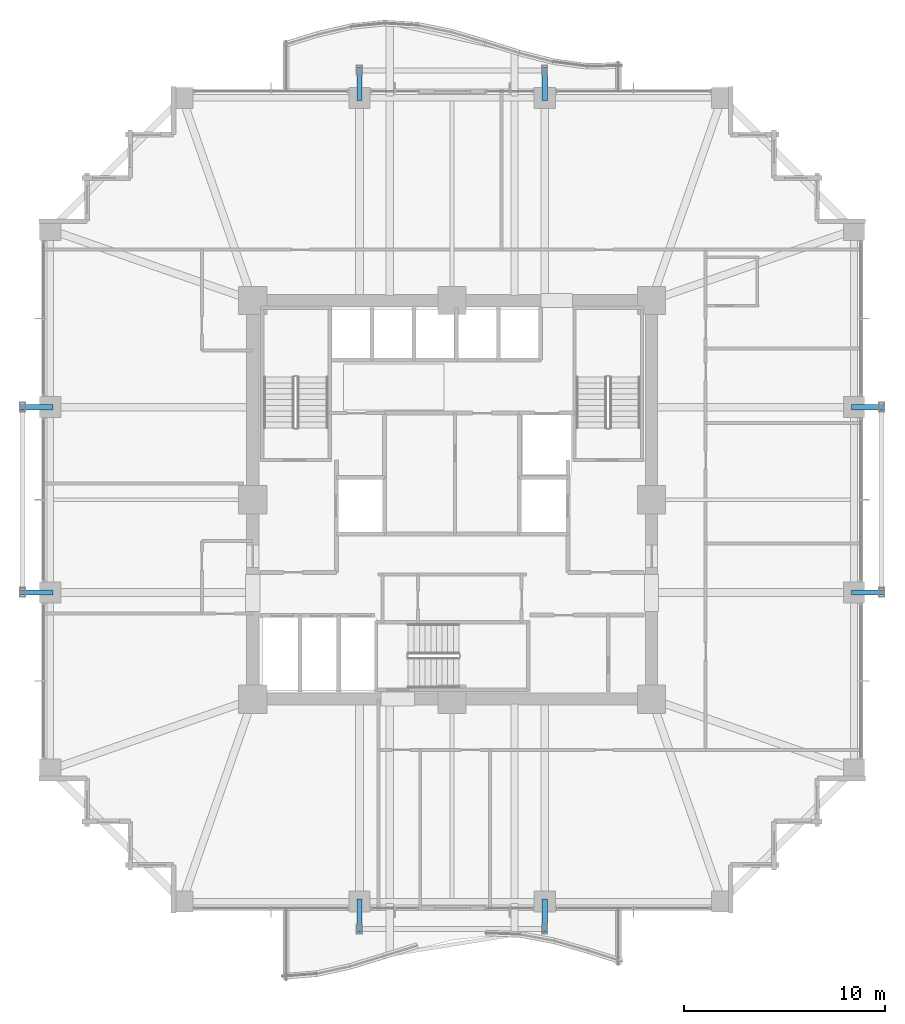
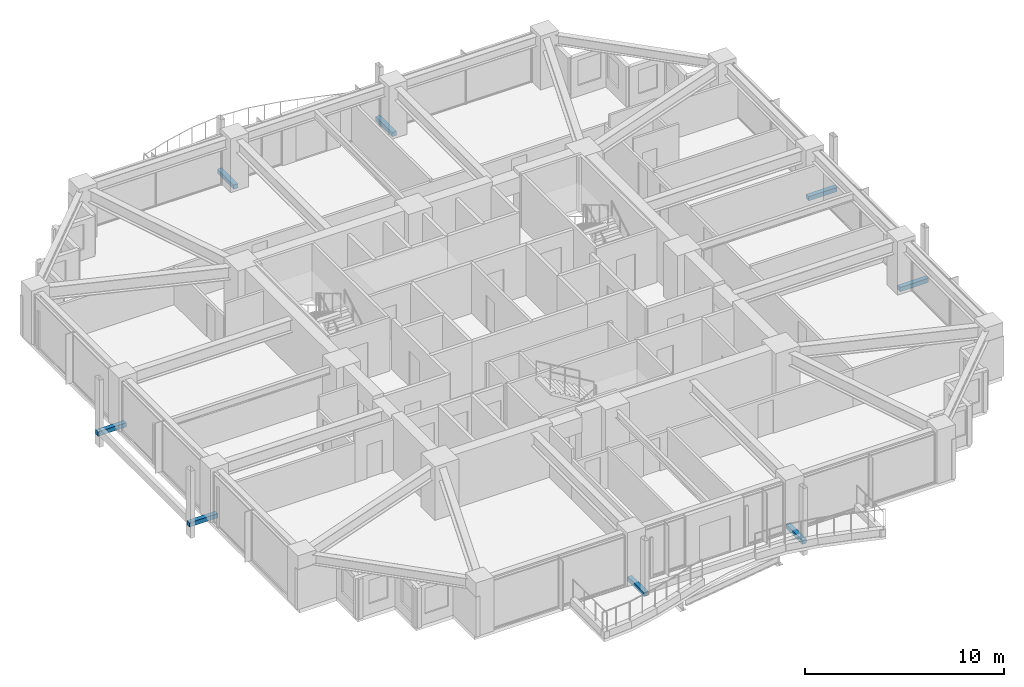
# One storey, part 36 of 38: 8 discrete accessories.
"""IFC4 building model written with IfcOpenShell, lengths in metres."""

import ifcopenshell
import ifcopenshell.guid

model = None  # the IFC model being written
_history = None  # IfcOwnerHistory: only IFC2X3 demands one
_inside = {}  # id of a spatial element -> (the spatial element, [elements in it])
_under = {}  # id of a project, library or spatial element -> (it, [spatial elements below it])
_declared = {}  # id of a project -> (the project, [libraries it declares])
_typed = {}  # id of a type object -> (the type object, [elements of that type])
_made_of = {}  # id of a material, layer set ... -> (it, [elements and type objects made of it])


def new_model(schema):
    """Start an empty IFC model of exactly this schema.

    Asked for "IFC4X3", IfcOpenShell would pick the latest addendum, in which some entities
    have other attributes; the version numbers below select the first issue.
    IFC2X3 requires an IfcOwnerHistory on every rooted entity: one is made here for all.
    """
    global model, _history
    if schema == "IFC4X3":
        model = ifcopenshell.file(schema_version=(4, 3, 0, 0))
    else:
        model = ifcopenshell.file(schema=schema)
    _inside.clear()
    _under.clear()
    _declared.clear()
    _typed.clear()
    _made_of.clear()
    _history = None
    if model.schema == "IFC2X3":
        org = make("IfcOrganization", Name="unknown")
        user = make(
            "IfcPersonAndOrganization",
            ThePerson=make("IfcPerson", FamilyName="unknown"),
            TheOrganization=org,
        )
        app = make(
            "IfcApplication",
            ApplicationDeveloper=org,
            Version="unknown",
            ApplicationFullName="unknown",
            ApplicationIdentifier="unknown",
        )
        _history = make(
            "IfcOwnerHistory",
            OwningUser=user,
            OwningApplication=app,
            ChangeAction="ADDED",
            CreationDate=0,
        )
    return model


def make(cls, **values):
    """One entity of the class cls with the attributes given. An attribute that is None is left unset."""
    return model.create_entity(
        cls, **{name: value for name, value in values.items() if value is not None}
    )


def rooted(cls, **values):
    """An entity with a GlobalId (a new one), such as an element, a storey or a relation."""
    return make(cls, GlobalId=ifcopenshell.guid.new(), OwnerHistory=_history, **values)


def si_unit(unit_type, name, prefix=None):
    """IfcSIUnit, for example si_unit("LENGTHUNIT", "METRE", prefix="MILLI")."""
    return make("IfcSIUnit", UnitType=unit_type, Prefix=prefix, Name=name)


def assignment(units):
    """IfcUnitAssignment: the units of a project."""
    return None if units is None else make("IfcUnitAssignment", Units=units)


def point(xyz):
    """IfcCartesianPoint."""
    return None if xyz is None else make("IfcCartesianPoint", Coordinates=xyz)


def direction(xyz):
    """IfcDirection."""
    return None if xyz is None else make("IfcDirection", DirectionRatios=xyz)


def frame(location, z_axis=None, x_axis=None):
    """IfcAxis2Placement3D, a coordinate frame: its origin and axes. An axis left out is left unset."""
    return make(
        "IfcAxis2Placement3D",
        Location=point(location),
        Axis=direction(z_axis),
        RefDirection=direction(x_axis),
    )


def frame_2d(location, x_axis=None):
    """IfcAxis2Placement2D, a coordinate frame in the plane: its origin and x axis."""
    return make(
        "IfcAxis2Placement2D", Location=point(location), RefDirection=direction(x_axis)
    )


def origin():
    """The frame at (0, 0, 0) with its axes left unset."""
    return frame((0.0, 0.0, 0.0))


def origin_2d():
    """The frame at (0, 0) in the plane with its x axis left unset."""
    return frame_2d((0.0, 0.0))


def place(relative_to, where):
    """IfcLocalPlacement: puts the frame where relative to a parent placement (None: the world)."""
    return make(
        "IfcLocalPlacement", PlacementRelTo=relative_to, RelativePlacement=where
    )


def context(
    kind, dimensions, precision=None, world=None, true_north=None, identifier=None
):
    """IfcGeometricRepresentationContext, for example the 3D "Model" context."""
    return make(
        "IfcGeometricRepresentationContext",
        ContextIdentifier=identifier,
        ContextType=kind,
        CoordinateSpaceDimension=dimensions,
        Precision=precision,
        WorldCoordinateSystem=world,
        TrueNorth=true_north,
    )


def subcontext(parent, identifier, kind, view, scale=None):
    """IfcGeometricRepresentationSubContext, for example "Body" below "Model"."""
    return make(
        "IfcGeometricRepresentationSubContext",
        ContextIdentifier=identifier,
        ContextType=kind,
        ParentContext=parent,
        TargetScale=scale,
        TargetView=view,
    )


def project(units=None, contexts=None):
    """IfcProject with its units and contexts."""
    return rooted(
        "IfcProject",
        Name="project",
        RepresentationContexts=contexts,
        UnitsInContext=assignment(units),
    )


def spatial(cls, under=None, at=None, **own):
    """A site, building, storey or space (cls), placed at a placement, below another one or the project."""
    s = rooted(cls, ObjectPlacement=at, **own)
    if under is not None:
        _under.setdefault(under.id(), (under, []))[1].append(s)
    return s


def profile(cls, at=None, kind="AREA", **sizes):
    """A parametric profile (cls). Its sizes go by their IFC names, for example OverallWidth=200.0."""
    return make(cls, ProfileType=kind, Position=at, **sizes)


def rectangle(**sizes):
    """IfcRectangleProfileDef."""
    return profile("IfcRectangleProfileDef", **sizes)


def extrude(swept, where, along, depth):
    """IfcExtrudedAreaSolid: the profile swept, set in the frame where, extruded along a direction by depth."""
    return make(
        "IfcExtrudedAreaSolid",
        SweptArea=swept,
        Position=where,
        ExtrudedDirection=direction(along),
        Depth=depth,
    )


def shape(context_of_items, identifier, shape_type, items):
    """IfcShapeRepresentation: the items that make up one representation, for example the "Body"."""
    return make(
        "IfcShapeRepresentation",
        ContextOfItems=context_of_items,
        RepresentationIdentifier=identifier,
        RepresentationType=shape_type,
        Items=items,
    )


def material(Name=None, Category=None):
    """IfcMaterial."""
    return make("IfcMaterial", Name=Name, Category=Category)


def made_of(thing, what):
    """Note that an element or type object is made of a material, layer set ...; save() writes the relation."""
    if what is not None:
        _made_of.setdefault(what.id(), (what, []))[1].append(thing)
    return thing


def type_object(cls, material=None, **own):
    """A type object (cls), such as IfcWallType, which elements share."""
    return made_of(rooted(cls, **own), material)


def element(
    cls,
    number,
    at=None,
    inside=None,
    cuts=None,
    type_object=None,
    material=None,
    context=None,
    identifier="Body",
    shape_type=None,
    held_by="IfcProductDefinitionShape",
    body=None,
    shapes=None,
    **own,
):
    """One element of the class cls, such as IfcWall. Its Tag is "e" and its number.

    at: its placement. inside: the storey or other place that contains it. cuts: it is an
    opening in that element (IfcRelVoidsElement). A single representation is given by context,
    identifier, shape_type and body (its items); several are given by shapes. held_by: the class
    of the entity that holds the representations. save() writes the other relations.
    """
    e = rooted(cls, Tag="e%d" % number, ObjectPlacement=at, **own)
    if body is not None:
        shapes = [shape(context, identifier, shape_type, body)]
    if shapes is not None:
        e.Representation = make(held_by, Representations=shapes)
    if inside is not None:
        _inside.setdefault(inside.id(), (inside, []))[1].append(e)
    if cuts is not None:
        rooted(
            "IfcRelVoidsElement", RelatingBuildingElement=cuts, RelatedOpeningElement=e
        )
    if type_object is not None:
        _typed.setdefault(type_object.id(), (type_object, []))[1].append(e)
    return made_of(e, material)


def aggregate(whole, parts):
    """IfcRelAggregates: a whole, such as a stair, and the parts it consists of."""
    return rooted("IfcRelAggregates", RelatingObject=whole, RelatedObjects=parts)


def save(model, path):
    """Write the relations noted so far, then the file.

    IfcRelAggregates (storeys below a building ...), IfcRelContainedInSpatialStructure (elements
    in a storey), IfcRelDefinesByType, IfcRelAssociatesMaterial and IfcRelDeclares: one each for
    every whole, place, type object, material and project.
    """
    for whole, parts in _under.values():
        aggregate(whole, parts)
    for where, things in _inside.values():
        rooted(
            "IfcRelContainedInSpatialStructure",
            RelatedElements=things,
            RelatingStructure=where,
        )
    for kind, things in _typed.values():
        rooted("IfcRelDefinesByType", RelatedObjects=things, RelatingType=kind)
    for what, things in _made_of.values():
        rooted("IfcRelAssociatesMaterial", RelatedObjects=things, RelatingMaterial=what)
    for by, libraries in _declared.values():
        rooted("IfcRelDeclares", RelatingContext=by, RelatedDefinitions=libraries)
    model.write(path)


model = new_model("IFC4")

# Units and contexts
model_context = context("Model", 3, precision=1e-05, world=origin(), true_north=direction((0.0, 1.0)))
body_context = subcontext(model_context, "Body", "Model", "MODEL_VIEW")
ifc_project = project(units=[si_unit("LENGTHUNIT", "METRE"), si_unit("AREAUNIT", "SQUARE_METRE"), si_unit("VOLUMEUNIT", "CUBIC_METRE"), si_unit("PLANEANGLEUNIT", "RADIAN"), si_unit("MASSUNIT", "GRAM", prefix="KILO")], contexts=[model_context])

# Site, building, storey
site_placement = place(None, origin())
site = spatial("IfcSite", under=ifc_project, at=site_placement, CompositionType="ELEMENT")
building_placement = place(site_placement, origin())
building = spatial("IfcBuilding", under=site, at=building_placement, Name="Kolvaren Belvedere", CompositionType="ELEMENT")
storey_placement = place(building_placement, frame((0.0, 0.0, 72.199951171875)))
storey = spatial("IfcBuildingStorey", under=building, at=storey_placement, Name="L20", CompositionType="ELEMENT", Elevation=72.199951171875)

# Discrete accessories
ifc_material = material(Name="Structural steel ASTM A572 Grade 50", Category="steel")
discrete_accessory_type = type_object("IfcDiscreteAccessoryType", Name="BRK-1 Steel Facade Support Bracket", PredefinedType="BRACKET", material=ifc_material)
for number, where, z_axis, x_axis, name in (
    (1, (-4.60009765625, 20.635009765625, -0.169921875), (0.0, 0.0, 1.0), (0.0, 1.0, 0.0), "L20 Picture-Frame Outrigger Cleat Bracket N1"),
    (2, (4.60009765625, 20.635009765625, -0.169921875), (0.0, 0.0, 1.0), (0.0, 1.0, 0.0), "L20 Picture-Frame Outrigger Cleat Bracket N2"),
    (3, (4.60009765625, -20.635009765625, -0.169921875), (0.0, 0.0, 1.0), (0.0, 1.0, 0.0), "L20 Picture-Frame Outrigger Cleat Bracket S1"),
    (4, (-4.60009765625, -20.635009765625, -0.169921875), (0.0, 0.0, 1.0), (0.0, 1.0, 0.0), "L20 Picture-Frame Outrigger Cleat Bracket S2"),
    (5, (20.635009765625, 4.60009765625, -0.169921875), (0.0, 0.0, 1.0), (1.0, 0.0, 0.0), "L20 Picture-Frame Outrigger Cleat Bracket E1"),
    (6, (20.635009765625, -4.60009765625, -0.169921875), (0.0, 0.0, 1.0), (1.0, 0.0, 0.0), "L20 Picture-Frame Outrigger Cleat Bracket E2"),
    (7, (-20.635009765625, -4.60009765625, -0.169921875), (0.0, 0.0, 1.0), (1.0, 0.0, 0.0), "L20 Picture-Frame Outrigger Cleat Bracket W1"),
    (8, (-20.635009765625, 4.60009765625, -0.169921875), (0.0, 0.0, 1.0), (1.0, 0.0, 0.0), "L20 Picture-Frame Outrigger Cleat Bracket W2"),
):
    element("IfcDiscreteAccessory", number, at=place(storey_placement, frame(where, z_axis=z_axis, x_axis=x_axis)), inside=storey, type_object=discrete_accessory_type, Name=name, PredefinedType="BRACKET", context=body_context, shape_type="SweptSolid", body=[
        extrude(rectangle(XDim=1.639892578125, YDim=0.260009765625, at=origin_2d()), origin(), (0.0, 0.0, 1.0), 0.260009765625),
    ])

save(model, "model.ifc")
